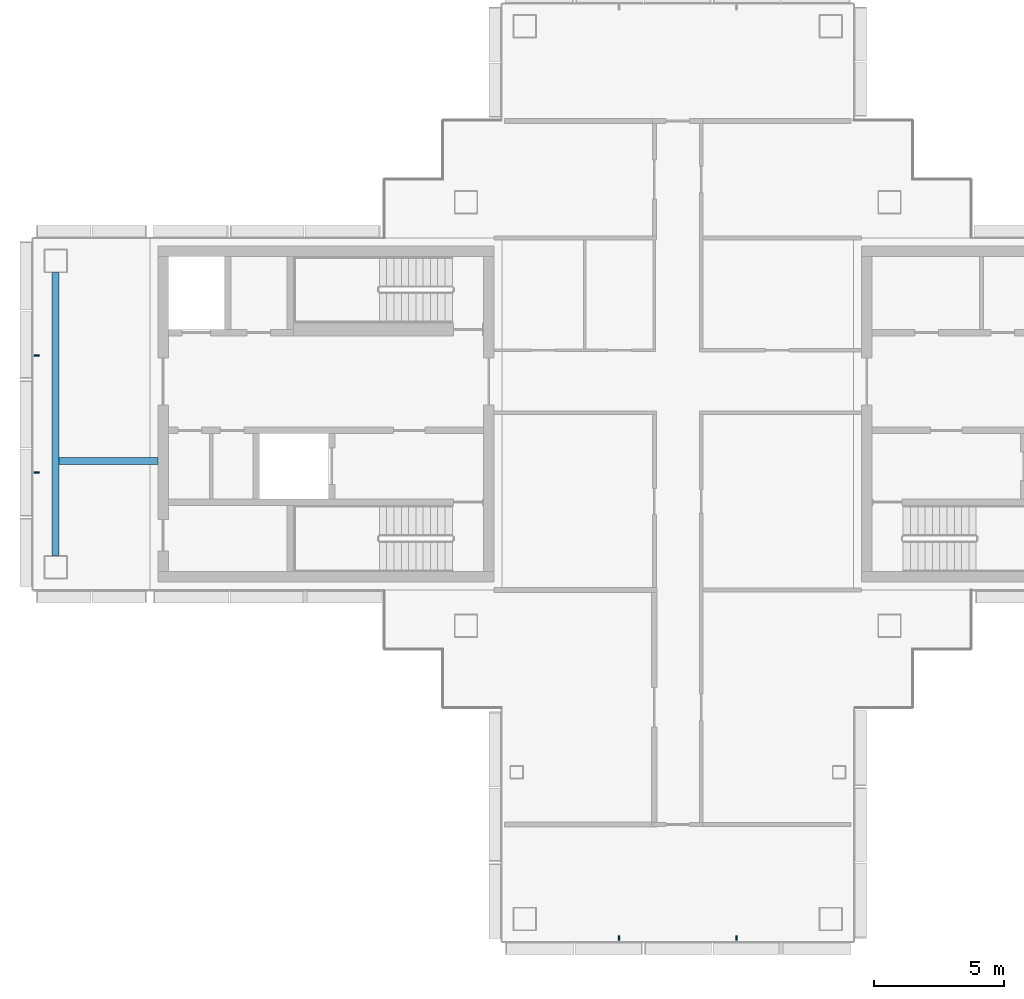
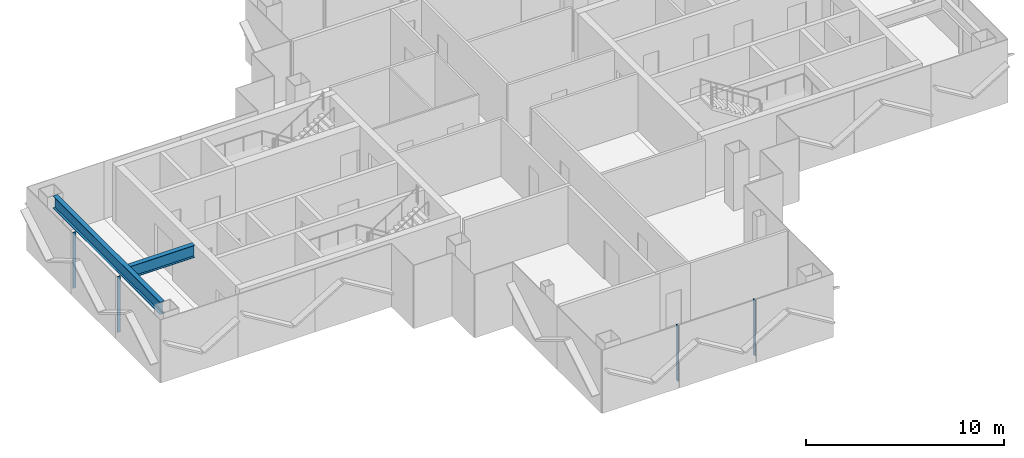
# One storey, part 3 of 17: 4 members, 2 beams, 2 elements without a shape of their own.
"""IFC4 building model written with IfcOpenShell, lengths in metres."""

from ifc_helpers import new_model, si_unit, direction, frame, origin, origin_2d, place, context, subcontext, project, spatial, rectangle, i_section, extrude, material, layer, layer_set, material_profile, profile_set, type_object, element, aggregate, save


model = new_model("IFC4")

# Units and contexts
model_context = context("Model", 3, precision=1e-05, world=origin(), true_north=direction((0.0, 1.0)))
body_context = subcontext(model_context, "Body", "Model", "MODEL_VIEW")
ifc_project = project(units=[si_unit("LENGTHUNIT", "METRE"), si_unit("AREAUNIT", "SQUARE_METRE"), si_unit("VOLUMEUNIT", "CUBIC_METRE"), si_unit("PLANEANGLEUNIT", "RADIAN"), si_unit("MASSUNIT", "GRAM", prefix="KILO")], contexts=[model_context])

# Site, building, storey
site_placement = place(None, origin())
site = spatial("IfcSite", under=ifc_project, at=site_placement, CompositionType="ELEMENT")
building_placement = place(site_placement, origin())
building = spatial("IfcBuilding", under=site, at=building_placement, Name="Shamsa Quay Exchange Towers", CompositionType="ELEMENT")
storey_placement = place(building_placement, frame((0.0, 0.0, 230.39990234375)))
storey = spatial("IfcBuildingStorey", under=building, at=storey_placement, Name="L55", CompositionType="ELEMENT", Elevation=230.39990234375)

# Curtain wall, members
ifc_material_1 = material(Name="Aluminium EN AW-6063 T6, black anodised", Category="aluminium")
ifc_layer = layer(ifc_material_1, 0.280029296875)
ifc_layer_set = layer_set([ifc_layer], Name="CW-1 UNITISED VISION GLASS")
curtain_wall_type = type_object("IfcCurtainWallType", Name="CW-1 UNITISED VISION GLASS", PredefinedType="NOTDEFINED", material=ifc_layer_set)
curtain_wall_1_placement = place(storey_placement, origin())
curtain_wall_1 = element("IfcCurtainWall", 1, at=curtain_wall_1_placement, inside=storey, type_object=curtain_wall_type, Name="CW1 T1-END-V- L55", PredefinedType="NOTDEFINED")
ifc_material_profile_1 = material_profile(ifc_material_1, rectangle(XDim=0.179931640625, YDim=0.06005859375, at=origin_2d()), Name="MU60x180")
ifc_profile_set_1 = profile_set([ifc_material_profile_1], Name="Aluminium EN AW-6063 T6, black anodised")
member_type = type_object("IfcMemberType", Name="CW1 MULLION 60x180", PredefinedType="MULLION", material=ifc_profile_set_1)
member_1_placement = place(storey_placement, frame((-36.0, -20.10009765625, 0.0), z_axis=(0.0, 0.0, 1.0), x_axis=(0.0, 1.0, 0.0)))
member_1 = element("IfcMember", 2, at=member_1_placement, type_object=member_type, Name="CW1 mullion", PredefinedType="MULLION", context=body_context, shape_type="SweptSolid", body=[
    extrude(rectangle(XDim=0.179931640625, YDim=0.06005859375, at=origin_2d()), origin(), (0.0, 0.0, 1.0), 3.4501953125),
])
member_2_placement = place(storey_placement, frame((-31.5, -20.10009765625, 0.0), z_axis=(0.0, 0.0, 1.0), x_axis=(0.0, 1.0, 0.0)))
member_2 = element("IfcMember", 3, at=member_2_placement, type_object=member_type, Name="CW1 mullion", PredefinedType="MULLION", context=body_context, shape_type="SweptSolid", body=[
    extrude(rectangle(XDim=0.179931640625, YDim=0.06005859375, at=origin_2d()), origin(), (0.0, 0.0, 1.0), 3.4501953125),
])
aggregate(curtain_wall_1, [member_1, member_2])

curtain_wall_2_placement = place(storey_placement, origin())
curtain_wall_2 = element("IfcCurtainWall", 4, at=curtain_wall_2_placement, inside=storey, type_object=curtain_wall_type, Name="CW1 T1-END-U- L55", PredefinedType="NOTDEFINED")
member_3_placement = place(storey_placement, frame((-58.35009765625, 2.25, 0.0)))
member_3 = element("IfcMember", 5, at=member_3_placement, type_object=member_type, Name="CW1 mullion", PredefinedType="MULLION", context=body_context, shape_type="SweptSolid", body=[
    extrude(rectangle(XDim=0.179931640625, YDim=0.06005859375, at=origin_2d()), origin(), (0.0, 0.0, 1.0), 3.4501953125),
])
member_4_placement = place(storey_placement, frame((-58.35009765625, -2.25, 0.0)))
member_4 = element("IfcMember", 6, at=member_4_placement, type_object=member_type, Name="CW1 mullion", PredefinedType="MULLION", context=body_context, shape_type="SweptSolid", body=[
    extrude(rectangle(XDim=0.179931640625, YDim=0.06005859375, at=origin_2d()), origin(), (0.0, 0.0, 1.0), 3.4501953125),
])
aggregate(curtain_wall_2, [member_3, member_4])

# Beams
ifc_material_2 = material(Name="Steel S355", Category="steel")
ifc_material_profile_2 = material_profile(ifc_material_2, i_section(OverallWidth=0.26611328125, OverallDepth=0.7578125, WebThickness=0.013916015625, FlangeThickness=0.019287109375, at=origin_2d()), Name="W30x108")
ifc_profile_set_2 = profile_set([ifc_material_profile_2], Name="Steel S355")
beam_type = type_object("IfcBeamType", Name="End-zone beam W30x108", PredefinedType="BEAM", material=ifc_profile_set_2)
beam_1_placement = place(storey_placement, frame((-57.625, -5.425048828125, 3.171142578125), z_axis=(0.0, 1.0, 0.0), x_axis=(-1.0, 0.0, 0.0)))
element("IfcBeam", 7, at=beam_1_placement, inside=storey, type_object=beam_type, Name="End beam T1 U- end zone L55", PredefinedType="BEAM", context=body_context, shape_type="SweptSolid", body=[
    extrude(i_section(OverallWidth=0.26611328125, OverallDepth=0.7578125, WebThickness=0.013916015625, FlangeThickness=0.019287109375, at=origin_2d()), origin(), (0.0, 0.0, 1.0), 10.85009765625),
])
beam_2_placement = place(storey_placement, frame((-53.699951171875, -1.800048828125, 3.171142578125), z_axis=(-1.0, 0.0, 0.0), x_axis=(0.0, -1.0, 0.0)))
element("IfcBeam", 8, at=beam_2_placement, inside=storey, type_object=beam_type, Name="Spine beam T1 U- end zone L55", PredefinedType="BEAM", context=body_context, shape_type="SweptSolid", body=[
    extrude(i_section(OverallWidth=0.26611328125, OverallDepth=0.7578125, WebThickness=0.013916015625, FlangeThickness=0.019287109375, at=origin_2d()), origin(), (0.0, 0.0, 1.0), 3.7919921875),
])

save(model, "model.ifc")
